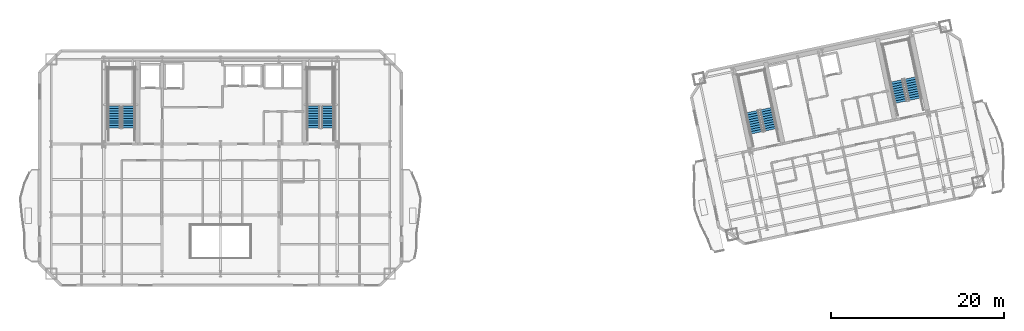
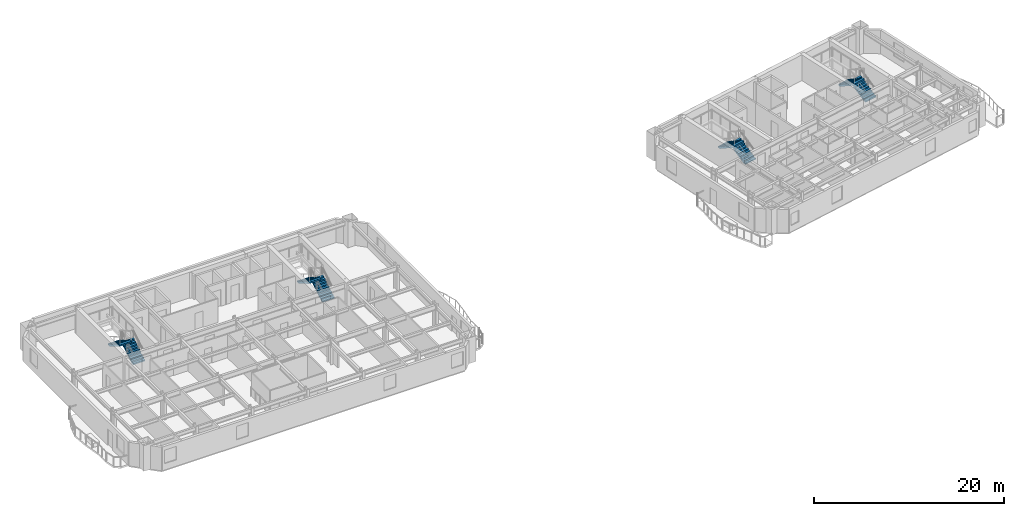
# One storey, part 9 of 13: 8 stair flights, 4 elements without a shape of their own.
"""IFC4 building model written with IfcOpenShell, lengths in metres."""

from ifc_helpers import new_model, si_unit, direction, frame, origin, place, context, subcontext, project, spatial, polyline, outline, extrude, material, type_object, element, aggregate, save


model = new_model("IFC4")

# Units and contexts
model_context = context("Model", 3, precision=1e-05, world=origin(), true_north=direction((0.0, 1.0)))
body_context = subcontext(model_context, "Body", "Model", "MODEL_VIEW")
ifc_project = project(units=[si_unit("LENGTHUNIT", "METRE"), si_unit("AREAUNIT", "SQUARE_METRE"), si_unit("VOLUMEUNIT", "CUBIC_METRE"), si_unit("PLANEANGLEUNIT", "RADIAN"), si_unit("MASSUNIT", "GRAM", prefix="KILO")], contexts=[model_context])

# Site, building, storey
site_placement = place(None, origin())
site = spatial("IfcSite", under=ifc_project, at=site_placement, CompositionType="ELEMENT")
building_placement = place(site_placement, origin())
building = spatial("IfcBuilding", under=site, at=building_placement, Name="Haevon Station Towers", CompositionType="ELEMENT")
storey_placement = place(building_placement, frame((0.0, 0.0, 162.60009765625)))
storey = spatial("IfcBuildingStorey", under=building, at=storey_placement, Name="L44", CompositionType="ELEMENT", Elevation=162.60009765625)

# Stair, stair flights
ifc_material = material(Name="Concrete C40/50", Category="concrete")
stair_type = type_object("IfcStairType", Name="STR-DL1450", PredefinedType="USERDEFINED", material=ifc_material)
stair_1_placement = place(storey_placement, origin())
stair_1 = element("IfcStair", 1, at=stair_1_placement, inside=storey, type_object=stair_type, Name="L44 Escape Stair ST1", ObjectType="TWO_RETURN_STAIR", PredefinedType="USERDEFINED")
stair_flight_type = type_object("IfcStairFlightType", Name="STF-ST1450", PredefinedType="STRAIGHT", material=ifc_material)
stair_flight_1_placement = place(storey_placement, frame((26.85498046875, 40.050048828125, 0.0), z_axis=(0.0, 0.0, 1.0), x_axis=(0.0, 1.0, 0.0)))
stair_flight_1 = element("IfcStairFlight", 2, at=stair_flight_1_placement, type_object=stair_flight_type, Name="L44 ST1 Flight 1", NumberOfRisers=10, NumberOfTreads=9, PredefinedType="STRAIGHT", RiserHeight=0.165, TreadLength=0.28, context=body_context, shape_type="SweptSolid", body=[
    extrude(outline(polyline([(0.0, 0.0), (0.0, 0.1650390625), (0.280029296875, 0.1650390625), (0.280029296875, 0.330078125), (0.56005859375, 0.330078125), (0.56005859375, 0.4951171875), (0.840087890625, 0.4951171875), (0.840087890625, 0.659912109375), (1.1201171875, 0.659912109375), (1.1201171875, 0.824951171875), (1.39990234375, 0.824951171875), (1.39990234375, 0.989990234375), (1.679931640625, 0.989990234375), (1.679931640625, 1.155029296875), (1.9599609375, 1.155029296875), (1.9599609375, 1.320068359375), (2.239990234375, 1.320068359375), (2.239990234375, 1.485107421875), (2.52001953125, 1.485107421875), (2.52001953125, 1.64990234375), (2.52001953125, 1.29931640625), (0.31494140625, 0.0), (0.0, 0.0)])), frame((0.0, 0.72509765625, 0.0), z_axis=(0.0, -1.0, 0.0), x_axis=(1.0, 0.0, 0.0)), (0.0, 0.0, 1.0), 1.449951171875),
])
stair_flight_2_placement = place(storey_placement, frame((25.205078125, 42.570068359375, 1.64990234375), z_axis=(0.0, 0.0, 1.0), x_axis=(0.0, -1.0, 0.0)))
stair_flight_2 = element("IfcStairFlight", 3, at=stair_flight_2_placement, type_object=stair_flight_type, Name="L44 ST1 Flight 2", NumberOfRisers=10, NumberOfTreads=9, PredefinedType="STRAIGHT", RiserHeight=0.165, TreadLength=0.28, context=body_context, shape_type="SweptSolid", body=[
    extrude(outline(polyline([(0.0, 0.0), (0.0, 0.1650390625), (0.280029296875, 0.1650390625), (0.280029296875, 0.330078125), (0.56005859375, 0.330078125), (0.56005859375, 0.4951171875), (0.840087890625, 0.4951171875), (0.840087890625, 0.659912109375), (1.1201171875, 0.659912109375), (1.1201171875, 0.824951171875), (1.39990234375, 0.824951171875), (1.39990234375, 0.989990234375), (1.679931640625, 0.989990234375), (1.679931640625, 1.155029296875), (1.9599609375, 1.155029296875), (1.9599609375, 1.320068359375), (2.239990234375, 1.320068359375), (2.239990234375, 1.485107421875), (2.52001953125, 1.485107421875), (2.52001953125, 1.64990234375), (2.52001953125, 1.29931640625), (0.31494140625, 0.0), (0.0, 0.0)])), frame((0.0, 0.72509765625, 0.0), z_axis=(0.0, -1.0, 0.0), x_axis=(1.0, 0.0, 0.0)), (0.0, 0.0, 1.0), 1.449951171875),
])
aggregate(stair_1, [stair_flight_1, stair_flight_2])

stair_2_placement = place(storey_placement, origin())
stair_2 = element("IfcStair", 4, at=stair_2_placement, inside=storey, type_object=stair_type, Name="L44 Escape Stair ST2", ObjectType="TWO_RETURN_STAIR", PredefinedType="USERDEFINED")
stair_flight_3_placement = place(storey_placement, frame((49.89501953125, 40.050048828125, 0.0), z_axis=(0.0, 0.0, 1.0), x_axis=(0.0, 1.0, 0.0)))
stair_flight_3 = element("IfcStairFlight", 5, at=stair_flight_3_placement, type_object=stair_flight_type, Name="L44 ST2 Flight 1", NumberOfRisers=10, NumberOfTreads=9, PredefinedType="STRAIGHT", RiserHeight=0.165, TreadLength=0.28, context=body_context, shape_type="SweptSolid", body=[
    extrude(outline(polyline([(0.0, 0.0), (0.0, 0.1650390625), (0.280029296875, 0.1650390625), (0.280029296875, 0.330078125), (0.56005859375, 0.330078125), (0.56005859375, 0.4951171875), (0.840087890625, 0.4951171875), (0.840087890625, 0.659912109375), (1.1201171875, 0.659912109375), (1.1201171875, 0.824951171875), (1.39990234375, 0.824951171875), (1.39990234375, 0.989990234375), (1.679931640625, 0.989990234375), (1.679931640625, 1.155029296875), (1.9599609375, 1.155029296875), (1.9599609375, 1.320068359375), (2.239990234375, 1.320068359375), (2.239990234375, 1.485107421875), (2.52001953125, 1.485107421875), (2.52001953125, 1.64990234375), (2.52001953125, 1.29931640625), (0.31494140625, 0.0), (0.0, 0.0)])), frame((0.0, 0.72509765625, 0.0), z_axis=(0.0, -1.0, 0.0), x_axis=(1.0, 0.0, 0.0)), (0.0, 0.0, 1.0), 1.449951171875),
])
stair_flight_4_placement = place(storey_placement, frame((48.2451171875, 42.570068359375, 1.64990234375), z_axis=(0.0, 0.0, 1.0), x_axis=(0.0, -1.0, 0.0)))
stair_flight_4 = element("IfcStairFlight", 6, at=stair_flight_4_placement, type_object=stair_flight_type, Name="L44 ST2 Flight 2", NumberOfRisers=10, NumberOfTreads=9, PredefinedType="STRAIGHT", RiserHeight=0.165, TreadLength=0.28, context=body_context, shape_type="SweptSolid", body=[
    extrude(outline(polyline([(0.0, 0.0), (0.0, 0.1650390625), (0.280029296875, 0.1650390625), (0.280029296875, 0.330078125), (0.56005859375, 0.330078125), (0.56005859375, 0.4951171875), (0.840087890625, 0.4951171875), (0.840087890625, 0.659912109375), (1.1201171875, 0.659912109375), (1.1201171875, 0.824951171875), (1.39990234375, 0.824951171875), (1.39990234375, 0.989990234375), (1.679931640625, 0.989990234375), (1.679931640625, 1.155029296875), (1.9599609375, 1.155029296875), (1.9599609375, 1.320068359375), (2.239990234375, 1.320068359375), (2.239990234375, 1.485107421875), (2.52001953125, 1.485107421875), (2.52001953125, 1.64990234375), (2.52001953125, 1.29931640625), (0.31494140625, 0.0), (0.0, 0.0)])), frame((0.0, 0.72509765625, 0.0), z_axis=(0.0, -1.0, 0.0), x_axis=(1.0, 0.0, 0.0)), (0.0, 0.0, 1.0), 1.449951171875),
])
aggregate(stair_2, [stair_flight_3, stair_flight_4])

stair_3_placement = place(storey_placement, origin())
stair_3 = element("IfcStair", 7, at=stair_3_placement, inside=storey, type_object=stair_type, Name="L44 Escape Stair ST3", ObjectType="TWO_RETURN_STAIR", PredefinedType="USERDEFINED")
stair_flight_5_placement = place(storey_placement, frame((101.1015625, 39.8330078125, 0.0), z_axis=(0.0, 0.0, 1.0), x_axis=(-0.207911690818, 0.978147600734, 0.0)))
stair_flight_5 = element("IfcStairFlight", 8, at=stair_flight_5_placement, type_object=stair_flight_type, Name="L44 ST3 Flight 1", NumberOfRisers=10, NumberOfTreads=9, PredefinedType="STRAIGHT", RiserHeight=0.165, TreadLength=0.28, context=body_context, shape_type="SweptSolid", body=[
    extrude(outline(polyline([(0.0, 0.0), (0.0, 0.1650390625), (0.280029296875, 0.1650390625), (0.280029296875, 0.330078125), (0.56005859375, 0.330078125), (0.56005859375, 0.4951171875), (0.840087890625, 0.4951171875), (0.840087890625, 0.659912109375), (1.1201171875, 0.659912109375), (1.1201171875, 0.824951171875), (1.39990234375, 0.824951171875), (1.39990234375, 0.989990234375), (1.679931640625, 0.989990234375), (1.679931640625, 1.155029296875), (1.9599609375, 1.155029296875), (1.9599609375, 1.320068359375), (2.239990234375, 1.320068359375), (2.239990234375, 1.485107421875), (2.52001953125, 1.485107421875), (2.52001953125, 1.64990234375), (2.52001953125, 1.29931640625), (0.31494140625, 0.0), (0.0, 0.0)])), frame((0.0, 0.72509765625, 0.0), z_axis=(0.0, -1.0, 0.0), x_axis=(1.0, 0.0, 0.0)), (0.0, 0.0, 1.0), 1.449951171875),
])
stair_flight_6_placement = place(storey_placement, frame((98.9638671875, 41.955078125, 1.64990234375), z_axis=(0.0, 0.0, 1.0), x_axis=(0.207911690818, -0.978147600734, 0.0)))
stair_flight_6 = element("IfcStairFlight", 9, at=stair_flight_6_placement, type_object=stair_flight_type, Name="L44 ST3 Flight 2", NumberOfRisers=10, NumberOfTreads=9, PredefinedType="STRAIGHT", RiserHeight=0.165, TreadLength=0.28, context=body_context, shape_type="SweptSolid", body=[
    extrude(outline(polyline([(0.0, 0.0), (0.0, 0.1650390625), (0.280029296875, 0.1650390625), (0.280029296875, 0.330078125), (0.56005859375, 0.330078125), (0.56005859375, 0.4951171875), (0.840087890625, 0.4951171875), (0.840087890625, 0.659912109375), (1.1201171875, 0.659912109375), (1.1201171875, 0.824951171875), (1.39990234375, 0.824951171875), (1.39990234375, 0.989990234375), (1.679931640625, 0.989990234375), (1.679931640625, 1.155029296875), (1.9599609375, 1.155029296875), (1.9599609375, 1.320068359375), (2.239990234375, 1.320068359375), (2.239990234375, 1.485107421875), (2.52001953125, 1.485107421875), (2.52001953125, 1.64990234375), (2.52001953125, 1.29931640625), (0.31494140625, 0.0), (0.0, 0.0)])), frame((0.0, 0.72509765625, 0.0), z_axis=(0.0, -1.0, 0.0), x_axis=(1.0, 0.0, 0.0)), (0.0, 0.0, 1.0), 1.449951171875),
])
aggregate(stair_3, [stair_flight_5, stair_flight_6])

stair_4_placement = place(storey_placement, origin())
stair_4 = element("IfcStair", 10, at=stair_4_placement, inside=storey, type_object=stair_type, Name="L44 Escape Stair ST4", ObjectType="TWO_RETURN_STAIR", PredefinedType="USERDEFINED")
stair_flight_7_placement = place(storey_placement, frame((117.788818359375, 43.380126953125, 0.0), z_axis=(0.0, 0.0, 1.0), x_axis=(-0.207911690818, 0.978147600734, 0.0)))
stair_flight_7 = element("IfcStairFlight", 11, at=stair_flight_7_placement, type_object=stair_flight_type, Name="L44 ST4 Flight 1", NumberOfRisers=10, NumberOfTreads=9, PredefinedType="STRAIGHT", RiserHeight=0.165, TreadLength=0.28, context=body_context, shape_type="SweptSolid", body=[
    extrude(outline(polyline([(0.0, 0.0), (0.0, 0.1650390625), (0.280029296875, 0.1650390625), (0.280029296875, 0.330078125), (0.56005859375, 0.330078125), (0.56005859375, 0.4951171875), (0.840087890625, 0.4951171875), (0.840087890625, 0.659912109375), (1.1201171875, 0.659912109375), (1.1201171875, 0.824951171875), (1.39990234375, 0.824951171875), (1.39990234375, 0.989990234375), (1.679931640625, 0.989990234375), (1.679931640625, 1.155029296875), (1.9599609375, 1.155029296875), (1.9599609375, 1.320068359375), (2.239990234375, 1.320068359375), (2.239990234375, 1.485107421875), (2.52001953125, 1.485107421875), (2.52001953125, 1.64990234375), (2.52001953125, 1.29931640625), (0.31494140625, 0.0), (0.0, 0.0)])), frame((0.0, 0.72509765625, 0.0), z_axis=(0.0, -1.0, 0.0), x_axis=(1.0, 0.0, 0.0)), (0.0, 0.0, 1.0), 1.449951171875),
])
stair_flight_8_placement = place(storey_placement, frame((115.65087890625, 45.501953125, 1.64990234375), z_axis=(0.0, 0.0, 1.0), x_axis=(0.207911690818, -0.978147600734, 0.0)))
stair_flight_8 = element("IfcStairFlight", 12, at=stair_flight_8_placement, type_object=stair_flight_type, Name="L44 ST4 Flight 2", NumberOfRisers=10, NumberOfTreads=9, PredefinedType="STRAIGHT", RiserHeight=0.165, TreadLength=0.28, context=body_context, shape_type="SweptSolid", body=[
    extrude(outline(polyline([(0.0, 0.0), (0.0, 0.1650390625), (0.280029296875, 0.1650390625), (0.280029296875, 0.330078125), (0.56005859375, 0.330078125), (0.56005859375, 0.4951171875), (0.840087890625, 0.4951171875), (0.840087890625, 0.659912109375), (1.1201171875, 0.659912109375), (1.1201171875, 0.824951171875), (1.39990234375, 0.824951171875), (1.39990234375, 0.989990234375), (1.679931640625, 0.989990234375), (1.679931640625, 1.155029296875), (1.9599609375, 1.155029296875), (1.9599609375, 1.320068359375), (2.239990234375, 1.320068359375), (2.239990234375, 1.485107421875), (2.52001953125, 1.485107421875), (2.52001953125, 1.64990234375), (2.52001953125, 1.29931640625), (0.31494140625, 0.0), (0.0, 0.0)])), frame((0.0, 0.72509765625, 0.0), z_axis=(0.0, -1.0, 0.0), x_axis=(1.0, 0.0, 0.0)), (0.0, 0.0, 1.0), 1.449951171875),
])
aggregate(stair_4, [stair_flight_7, stair_flight_8])

save(model, "model.ifc")
